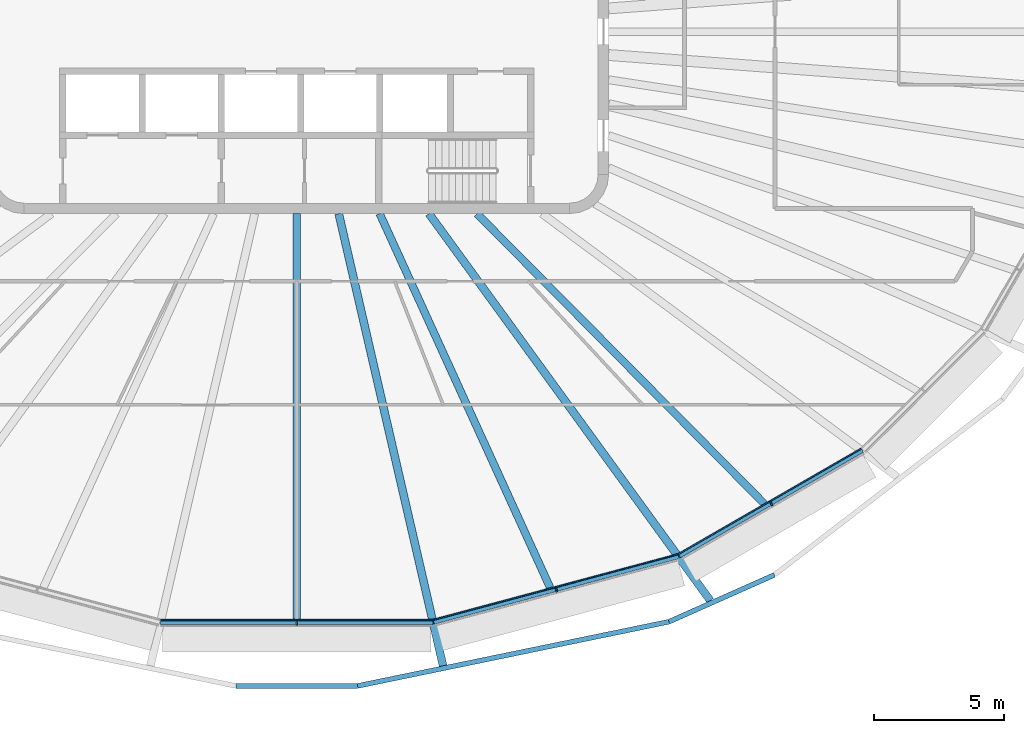
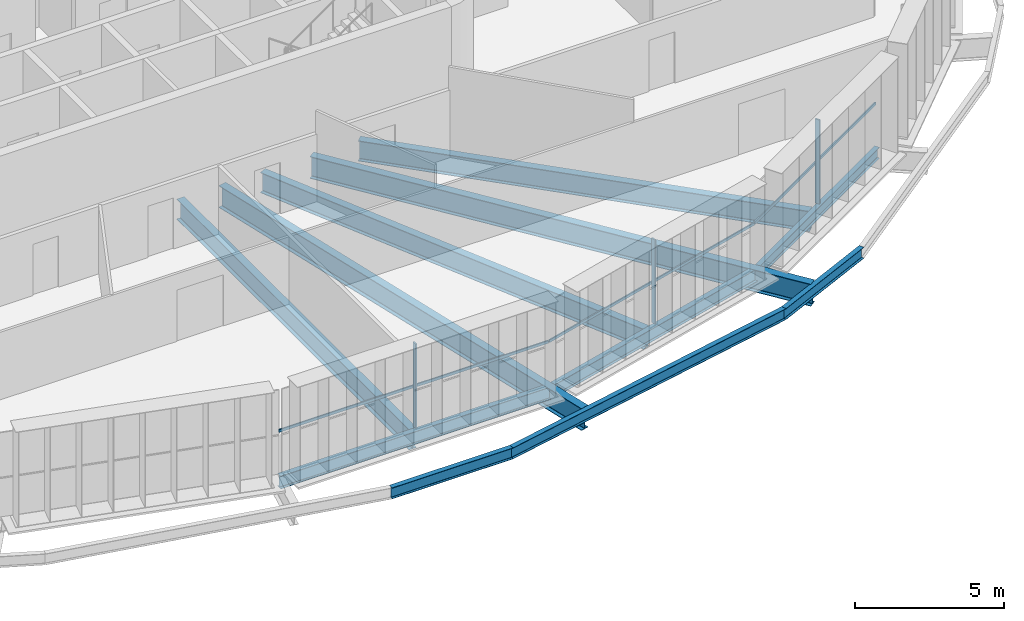
# One storey, part 3 of 20: 11 beams, 6 members, 3 elements without a shape of their own.
"""IFC4 building model written with IfcOpenShell, lengths in metres."""

from ifc_helpers import new_model, si_unit, direction, frame, origin, origin_2d, place, context, subcontext, project, spatial, rectangle, i_section, extrude, material, layer, layer_set, material_profile, profile_set, type_object, element, aggregate, save


model = new_model("IFC4")

# Units and contexts
model_context = context("Model", 3, precision=1e-05, world=origin(), true_north=direction((0.0, 1.0)))
body_context = subcontext(model_context, "Body", "Model", "MODEL_VIEW")
ifc_project = project(units=[si_unit("LENGTHUNIT", "METRE"), si_unit("AREAUNIT", "SQUARE_METRE"), si_unit("VOLUMEUNIT", "CUBIC_METRE"), si_unit("PLANEANGLEUNIT", "RADIAN"), si_unit("MASSUNIT", "GRAM", prefix="KILO")], contexts=[model_context])

# Site, building, storey
site_placement = place(None, origin())
site = spatial("IfcSite", under=ifc_project, at=site_placement, CompositionType="ELEMENT")
building_placement = place(site_placement, origin())
building = spatial("IfcBuilding", under=site, at=building_placement, Name="Sahrelin Media Tower", CompositionType="ELEMENT")
storey_placement = place(building_placement, frame((0.0, 0.0, 245.60009765625)))
storey = spatial("IfcBuildingStorey", under=building, at=storey_placement, Name="L53", CompositionType="ELEMENT", Elevation=245.60009765625)

# Beams
ifc_material_1 = material(Name="Steel S355", Category="steel")
ifc_material_profile_1 = material_profile(ifc_material_1, i_section(OverallWidth=0.1904296875, OverallDepth=0.45703125, WebThickness=0.009033203125, FlangeThickness=0.014404296875, FilletRadius=0.01025390625, at=origin_2d()), Name="UB 457x191x74")
ifc_profile_set_1 = profile_set([ifc_material_profile_1], Name="Steel S355")
beam_type_1 = type_object("IfcBeamType", Name="Edge beam EB5", PredefinedType="BEAM", material=ifc_profile_set_1)
beam_1_placement = place(storey_placement, frame((21.756591796875, -16.095947265625, -0.378662109375), z_axis=(-0.866024038412, -0.500002364886, 0.0), x_axis=(0.500002364886, -0.866024038412, 0.0)))
element("IfcBeam", 1, at=beam_1_placement, inside=storey, type_object=beam_type_1, Name="Edge beam L53-05", PredefinedType="BEAM", context=body_context, shape_type="SweptSolid", body=[
    extrude(i_section(OverallWidth=0.1904296875, OverallDepth=0.45703125, WebThickness=0.009033203125, FlangeThickness=0.014404296875, FilletRadius=0.01025390625, at=origin_2d()), origin(), (0.0, 0.0, 1.0), 8.12890625),
])
ifc_material_profile_2 = material_profile(ifc_material_1, i_section(OverallWidth=0.208740234375, OverallDepth=0.5283203125, WebThickness=0.009521484375, FlangeThickness=0.01318359375, FilletRadius=0.0126953125, at=origin_2d()), Name="UB 533x210x82")
ifc_profile_set_2 = profile_set([ifc_material_profile_2], Name="Steel S355")
beam_type_2 = type_object("IfcBeamType", Name="Edge beam EB6", PredefinedType="BEAM", material=ifc_profile_set_2)
beam_2_placement = place(storey_placement, frame((14.690185546875, -20.17138671875, -0.414306640625), z_axis=(-0.965922692081, -0.258830741845, 0.0), x_axis=(0.258830741845, -0.965922692081, 0.0)))
element("IfcBeam", 2, at=beam_2_placement, inside=storey, type_object=beam_type_2, Name="Edge beam L53-06", PredefinedType="BEAM", context=body_context, shape_type="SweptSolid", body=[
    extrude(i_section(OverallWidth=0.208740234375, OverallDepth=0.5283203125, WebThickness=0.009521484375, FlangeThickness=0.01318359375, FilletRadius=0.0126953125, at=origin_2d()), origin(), (0.0, 0.0, 1.0), 9.755126953125),
])
beam_3_placement = place(storey_placement, frame((5.239013671875, -22.699951171875, -0.414306640625), z_axis=(-1.0, 0.0, 0.0), x_axis=(0.0, -1.0, 0.0)))
element("IfcBeam", 3, at=beam_3_placement, inside=storey, type_object=beam_type_2, Name="Edge beam L53-07", PredefinedType="BEAM", context=body_context, shape_type="SweptSolid", body=[
    extrude(i_section(OverallWidth=0.208740234375, OverallDepth=0.5283203125, WebThickness=0.009521484375, FlangeThickness=0.01318359375, FilletRadius=0.0126953125, at=origin_2d()), origin(), (0.0, 0.0, 1.0), 10.47802734375),
])

# Curtain wall, member
ifc_material_2 = material(Name="Champagne anodised aluminium 6063-T6", Category="aluminium")
ifc_layer = layer(ifc_material_2, 0.14990234375)
ifc_layer_set = layer_set([ifc_layer], Name="Tower ribbon curtain wall")
curtain_wall_type = type_object("IfcCurtainWallType", Name="Tower ribbon curtain wall", PredefinedType="NOTDEFINED", material=ifc_layer_set)
curtain_wall_1_placement = place(storey_placement, frame((0.0, -22.85009765625, 0.0), z_axis=(0.0, 0.0, 1.0), x_axis=(1.0, 0.0, 0.0)))
curtain_wall_1 = element("IfcCurtainWall", 4, at=curtain_wall_1_placement, inside=storey, type_object=curtain_wall_type, Name="L53:CW:L53-18", PredefinedType="NOTDEFINED")
ifc_material_profile_3 = material_profile(ifc_material_2, rectangle(XDim=0.06005859375, YDim=0.175048828125, at=origin_2d()), Name="Mullion 60x175")
ifc_profile_set_3 = profile_set([ifc_material_profile_3], Name="Champagne anodised aluminium 6063-T6")
member_type_1 = type_object("IfcMemberType", Name="Mullion 60x175 CW1B", PredefinedType="MULLION", material=ifc_profile_set_3)
member_1_placement = place(storey_placement, frame((0.0, -22.742431640625, 0.0), z_axis=(0.0, 0.0, 1.0), x_axis=(1.0, 0.0, 0.0)))
member_1 = element("IfcMember", 5, at=member_1_placement, type_object=member_type_1, Name="L53:CWM:L53-18", PredefinedType="MULLION", context=body_context, shape_type="SweptSolid", body=[
    extrude(rectangle(XDim=0.06005859375, YDim=0.175048828125, at=origin_2d()), origin(), (0.0, 0.0, 1.0), 3.448486328125),
])

curtain_wall_2_placement = place(storey_placement, frame((10.017578125, -21.578857421875, 0.0), z_axis=(0.0, 0.0, 1.0), x_axis=(1.0, 0.0, 0.0)))
curtain_wall_2 = element("IfcCurtainWall", 6, at=curtain_wall_2_placement, inside=storey, type_object=curtain_wall_type, Name="L53:CW:L53-19", PredefinedType="NOTDEFINED")
member_2_placement = place(storey_placement, frame((9.98974609375, -21.474853515625, 0.0), z_axis=(0.0, 0.0, 1.0), x_axis=(0.965925374563, 0.258820730961, 0.0)))
member_2 = element("IfcMember", 7, at=member_2_placement, type_object=member_type_1, Name="L53:CWM:L53-19", PredefinedType="MULLION", context=body_context, shape_type="SweptSolid", body=[
    extrude(rectangle(XDim=0.06005859375, YDim=0.175048828125, at=origin_2d()), origin(), (0.0, 0.0, 1.0), 3.448486328125),
])

curtain_wall_3_placement = place(storey_placement, frame((18.3115234375, -18.258056640625, 0.0), z_axis=(0.0, 0.0, 1.0), x_axis=(1.0, 0.0, 0.0)))
curtain_wall_3 = element("IfcCurtainWall", 8, at=curtain_wall_3_placement, inside=storey, type_object=curtain_wall_type, Name="L53:CW:L53-20", PredefinedType="NOTDEFINED")
member_3_placement = place(storey_placement, frame((18.2578125, -18.1650390625, 0.0), z_axis=(0.0, 0.0, 1.0), x_axis=(0.866027149108, 0.499996976998, 0.0)))
member_3 = element("IfcMember", 9, at=member_3_placement, type_object=member_type_1, Name="L53:CWM:L53-20", PredefinedType="MULLION", context=body_context, shape_type="SweptSolid", body=[
    extrude(rectangle(XDim=0.06005859375, YDim=0.175048828125, at=origin_2d()), origin(), (0.0, 0.0, 1.0), 3.448486328125),
])

# Beams
ifc_material_profile_4 = material_profile(ifc_material_1, i_section(OverallWidth=0.30322265625, OverallDepth=0.903076171875, WebThickness=0.01513671875, FlangeThickness=0.020263671875, FilletRadius=0.01904296875, at=origin_2d()), Name="UB 914x305x201")
ifc_profile_set_4 = profile_set([ifc_material_profile_4], Name="Steel S355")
beam_type_3 = type_object("IfcBeamType", Name="Radial primary beam PB11", PredefinedType="BEAM", material=ifc_profile_set_4)
beam_4_placement = place(storey_placement, frame((1.615478515625, -7.0, -0.6015625), z_axis=(0.224863501495, -0.97439027381, 0.0), x_axis=(0.97439027381, 0.224863501495, 0.0)))
element("IfcBeam", 10, at=beam_4_placement, inside=storey, type_object=beam_type_3, Name="Radial beam L53-19", PredefinedType="BEAM", context=body_context, shape_type="SweptSolid", body=[
    extrude(i_section(OverallWidth=0.30322265625, OverallDepth=0.903076171875, WebThickness=0.01513671875, FlangeThickness=0.020263671875, FilletRadius=0.01904296875, at=origin_2d()), origin(), (0.0, 0.0, 1.0), 17.853759765625),
])
beam_5_placement = place(storey_placement, frame((5.08837890625, -7.0, -0.6015625), z_axis=(0.587991106654, -0.808867392405, 0.0), x_axis=(0.808867392405, 0.587991106654, 0.0)))
element("IfcBeam", 11, at=beam_5_placement, inside=storey, type_object=beam_type_3, Name="Radial beam L53-20", PredefinedType="BEAM", context=body_context, shape_type="SweptSolid", body=[
    extrude(i_section(OverallWidth=0.30322265625, OverallDepth=0.903076171875, WebThickness=0.01513671875, FlangeThickness=0.020263671875, FilletRadius=0.01904296875, at=origin_2d()), origin(), (0.0, 0.0, 1.0), 18.4091796875),
])
ifc_material_profile_5 = material_profile(ifc_material_1, i_section(OverallWidth=0.291748046875, OverallDepth=0.8349609375, WebThickness=0.013916015625, FlangeThickness=0.018798828125, FilletRadius=0.017822265625, at=origin_2d()), Name="UB 838x292x176")
ifc_profile_set_5 = profile_set([ifc_material_profile_5], Name="Steel S355")
beam_type_4 = type_object("IfcBeamType", Name="Radial secondary beam SB10", PredefinedType="BEAM", material=ifc_profile_set_5)
beam_6_placement = place(storey_placement, frame((0.0, -7.0, -0.567626953125), z_axis=(0.0, -1.0, 0.0), x_axis=(1.0, 0.0, 0.0)))
element("IfcBeam", 12, at=beam_6_placement, inside=storey, type_object=beam_type_4, Name="Secondary beam L53-18", PredefinedType="BEAM", context=body_context, shape_type="SweptSolid", body=[
    extrude(i_section(OverallWidth=0.291748046875, OverallDepth=0.8349609375, WebThickness=0.013916015625, FlangeThickness=0.018798828125, FilletRadius=0.017822265625, at=origin_2d()), origin(), (0.0, 0.0, 1.0), 15.595703125),
])
beam_7_placement = place(storey_placement, frame((3.19091796875, -7.0, -0.567626953125), z_axis=(0.414752003644, -0.90993448966, 0.0), x_axis=(0.90993448966, 0.414752003644, 0.0)))
element("IfcBeam", 13, at=beam_7_placement, inside=storey, type_object=beam_type_4, Name="Secondary beam L53-19", PredefinedType="BEAM", context=body_context, shape_type="SweptSolid", body=[
    extrude(i_section(OverallWidth=0.291748046875, OverallDepth=0.8349609375, WebThickness=0.013916015625, FlangeThickness=0.018798828125, FilletRadius=0.017822265625, at=origin_2d()), origin(), (0.0, 0.0, 1.0), 15.8115234375),
])
beam_8_placement = place(storey_placement, frame((6.934326171875, -7.0, -0.567626953125), z_axis=(0.70375757682, -0.710440196687, 0.0), x_axis=(0.710440196687, 0.70375757682, 0.0)))
element("IfcBeam", 14, at=beam_8_placement, inside=storey, type_object=beam_type_4, Name="Secondary beam L53-20", PredefinedType="BEAM", context=body_context, shape_type="SweptSolid", body=[
    extrude(i_section(OverallWidth=0.291748046875, OverallDepth=0.8349609375, WebThickness=0.013916015625, FlangeThickness=0.018798828125, FilletRadius=0.017822265625, at=origin_2d()), origin(), (0.0, 0.0, 1.0), 15.70947265625),
])
ifc_material_profile_6 = material_profile(ifc_material_1, i_section(OverallWidth=0.1904296875, OverallDepth=0.45703125, WebThickness=0.009033203125, FlangeThickness=0.014404296875, FilletRadius=0.01025390625, at=origin_2d()), Name="UB 457x191x74")
ifc_profile_set_6 = profile_set([ifc_material_profile_6], Name="Steel S355")
beam_type_5 = type_object("IfcBeamType", Name="Tie chord TC5", PredefinedType="BEAM", material=ifc_profile_set_6)
beam_9_placement = place(storey_placement, frame((-2.34033203125, -25.172119140625, -0.378662109375), z_axis=(1.0, 0.0, 0.0), x_axis=(0.0, 1.0, 0.0)))
element("IfcBeam", 15, at=beam_9_placement, inside=storey, type_object=beam_type_5, Name="Tie chord L53-18", PredefinedType="BEAM", context=body_context, shape_type="SweptSolid", body=[
    extrude(i_section(OverallWidth=0.1904296875, OverallDepth=0.45703125, WebThickness=0.009033203125, FlangeThickness=0.014404296875, FilletRadius=0.01025390625, at=origin_2d()), origin(), (0.0, 0.0, 1.0), 4.6806640625),
])
beam_10_placement = place(storey_placement, frame((2.34033203125, -25.172119140625, -0.378662109375), z_axis=(0.979389071905, 0.201982785984, 0.0), x_axis=(-0.201982785984, 0.979389071905, 0.0)))
element("IfcBeam", 16, at=beam_10_placement, inside=storey, type_object=beam_type_5, Name="Tie chord L53-19", PredefinedType="BEAM", context=body_context, shape_type="SweptSolid", body=[
    extrude(i_section(OverallWidth=0.1904296875, OverallDepth=0.45703125, WebThickness=0.009033203125, FlangeThickness=0.014404296875, FilletRadius=0.01025390625, at=origin_2d()), origin(), (0.0, 0.0, 1.0), 12.237060546875),
])
beam_11_placement = place(storey_placement, frame((14.3251953125, -22.700439453125, -0.378662109375), z_axis=(0.913822895956, 0.406112933586, 0.0), x_axis=(-0.406112933586, 0.913822895956, 0.0)))
element("IfcBeam", 17, at=beam_11_placement, inside=storey, type_object=beam_type_5, Name="Tie chord L53-20", PredefinedType="BEAM", context=body_context, shape_type="SweptSolid", body=[
    extrude(i_section(OverallWidth=0.1904296875, OverallDepth=0.45703125, WebThickness=0.009033203125, FlangeThickness=0.014404296875, FilletRadius=0.01025390625, at=origin_2d()), origin(), (0.0, 0.0, 1.0), 4.43603515625),
])

# Member
ifc_material_profile_7 = material_profile(ifc_material_2, rectangle(XDim=0.050048828125, YDim=0.110107421875, at=origin_2d()), Name="Transom 50x110")
ifc_profile_set_7 = profile_set([ifc_material_profile_7], Name="Champagne anodised aluminium 6063-T6")
member_type_2 = type_object("IfcMemberType", Name="Transom 50x110 CW1B", PredefinedType="USERDEFINED", material=ifc_profile_set_7)
member_4_placement = place(storey_placement, frame((-5.223388671875, -22.6298828125, 1.599853515625), z_axis=(1.0, 0.0, 0.0), x_axis=(0.0, 1.0, 0.0)))
member_4 = element("IfcMember", 18, at=member_4_placement, type_object=member_type_2, Name="L53:CWT:L53-18", ObjectType="TRANSOM", PredefinedType="USERDEFINED", context=body_context, shape_type="SweptSolid", body=[
    extrude(rectangle(XDim=0.050048828125, YDim=0.110107421875, at=origin_2d()), origin(), (0.0, 0.0, 1.0), 10.44677734375),
])

aggregate(curtain_wall_1, [member_1, member_4])

member_5_placement = place(storey_placement, frame((5.2646484375, -22.62451171875, 1.599853515625), z_axis=(0.965925860392, 0.25881891783, 0.0), x_axis=(-0.25881891783, 0.965925860392, 0.0)))
member_5 = element("IfcMember", 19, at=member_5_placement, type_object=member_type_2, Name="L53:CWT:L53-19", ObjectType="TRANSOM", PredefinedType="USERDEFINED", context=body_context, shape_type="SweptSolid", body=[
    extrude(rectangle(XDim=0.050048828125, YDim=0.110107421875, at=origin_2d()), origin(), (0.0, 0.0, 1.0), 9.723388671875),
])

aggregate(curtain_wall_2, [member_2, member_5])

member_6_placement = place(storey_placement, frame((14.6953125, -20.092041015625, 1.599853515625), z_axis=(0.866022911947, 0.500004315964, 0.0), x_axis=(-0.500004315964, 0.866022911947, 0.0)))
member_6 = element("IfcMember", 20, at=member_6_placement, type_object=member_type_2, Name="L53:CWT:L53-20", ObjectType="TRANSOM", PredefinedType="USERDEFINED", context=body_context, shape_type="SweptSolid", body=[
    extrude(rectangle(XDim=0.050048828125, YDim=0.110107421875, at=origin_2d()), origin(), (0.0, 0.0, 1.0), 8.09765625),
])

aggregate(curtain_wall_3, [member_3, member_6])

save(model, "model.ifc")
